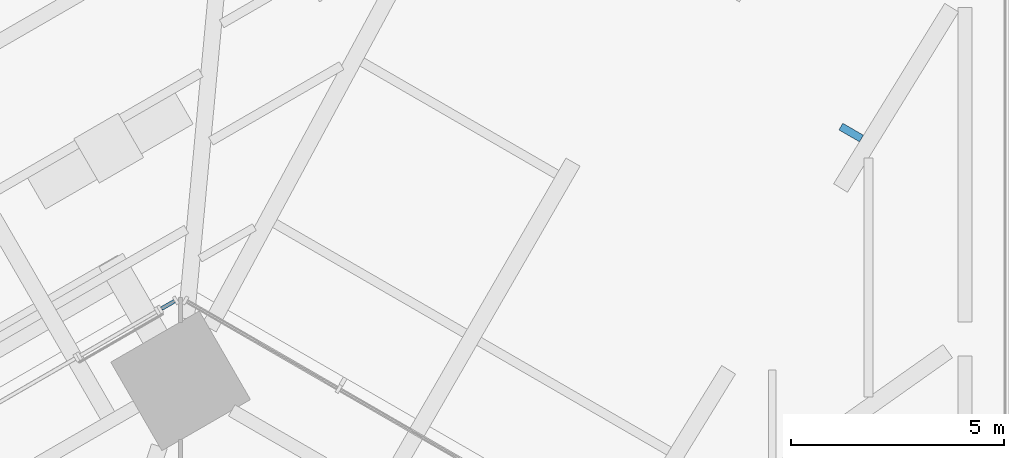
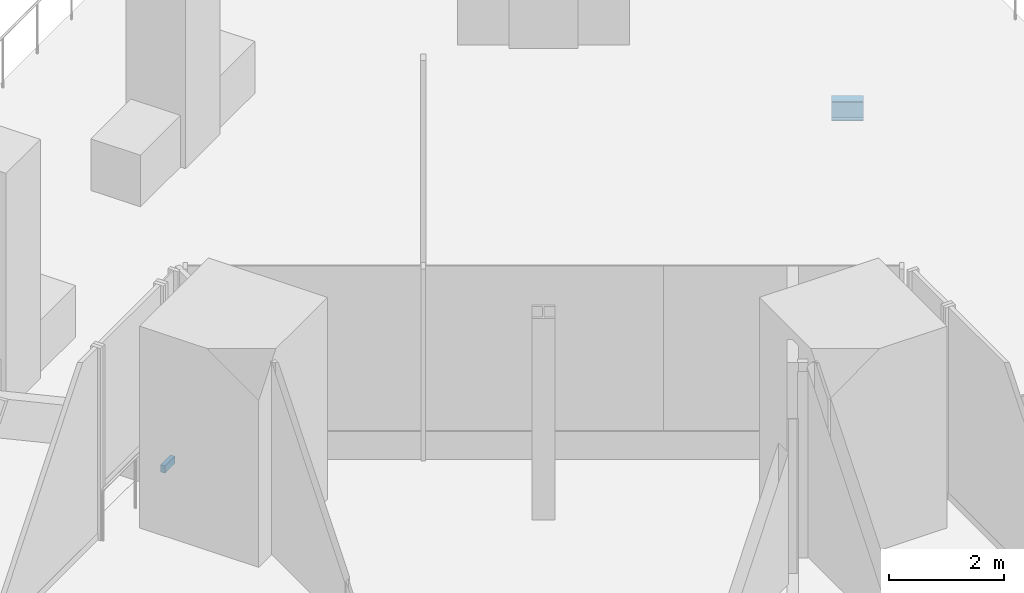
# One storey, part 19 of 38: 1 beam, 1 member, 1 element without a shape of its own.
"""IFC4 building model written with IfcOpenShell, lengths in metres."""

from ifc_helpers import new_model, si_unit, direction, frame, origin, origin_2d, place, context, subcontext, project, spatial, rectangle, i_section, extrude, source, transform, mapped, material, material_profile, profile_set, type_object, element, aggregate, save


model = new_model("IFC4")

# Units and contexts
model_context = context("Model", 3, precision=1e-05, world=origin(), true_north=direction((0.0, 1.0)))
body_context = subcontext(model_context, "Body", "Model", "MODEL_VIEW")
ifc_project = project(units=[si_unit("LENGTHUNIT", "METRE"), si_unit("AREAUNIT", "SQUARE_METRE"), si_unit("VOLUMEUNIT", "CUBIC_METRE"), si_unit("PLANEANGLEUNIT", "RADIAN"), si_unit("MASSUNIT", "GRAM", prefix="KILO")], contexts=[model_context])

# Site, building, storey
site_placement = place(None, origin())
site = spatial("IfcSite", under=ifc_project, at=site_placement, CompositionType="ELEMENT")
building_placement = place(site_placement, origin())
building = spatial("IfcBuilding", under=site, at=building_placement, Name="Triune Harvest Tower", CompositionType="ELEMENT")
storey_placement = place(building_placement, frame((0.0, 0.0, 16.0)))
storey = spatial("IfcBuildingStorey", under=building, at=storey_placement, Name="L03", CompositionType="ELEMENT", Elevation=16.0)

# Beam
ifc_material_1 = material(Name="Steel ASTM A992 Gr 50", Category="steel")
ifc_material_profile_1 = material_profile(ifc_material_1, i_section(OverallWidth=0.180908203125, OverallDepth=0.41650390625, WebThickness=0.010986328125, FlangeThickness=0.01806640625, at=origin_2d()), Name="W16x57")
ifc_profile_set_1 = profile_set([ifc_material_profile_1], Name="Steel ASTM A992 Gr 50")
beam_type = type_object("IfcBeamType", Name="PD-6 Podium short joist W16x57", PredefinedType="JOIST", material=ifc_profile_set_1)
shared_shape_1 = source(origin(), body_context, "Body", "SweptSolid", [
    extrude(i_section(OverallWidth=0.180908203125, OverallDepth=0.41650390625, WebThickness=0.010986328125, FlangeThickness=0.01806640625, at=origin_2d()), origin(), (0.0, 0.0, 1.0), 0.55908203125),
])
beam_placement = place(storey_placement, frame((28.291015625, 37.827880859375, -0.408203125), z_axis=(-0.866003766563, 0.500037474894, 0.0), x_axis=(-0.500037474894, -0.866003766563, 0.0)))
element("IfcBeam", 1, at=beam_placement, inside=storey, type_object=beam_type, Name="beam/L03/PJ23", PredefinedType="JOIST", context=body_context, shape_type="MappedRepresentation", body=[
    mapped(shared_shape_1, transform((0.0, 0.0, 0.0), scale=1.0)),
])

# Curtain wall, member
ifc_material_2 = material(Name="Aluminium bronze anodised", Category="aluminium")
curtain_wall_type = type_object("IfcCurtainWallType", Name="CW-6 Balcony window wall", PredefinedType="NOTDEFINED", material=ifc_material_2)
curtain_wall_placement = place(storey_placement, origin())
curtain_wall = element("IfcCurtainWall", 2, at=curtain_wall_placement, inside=storey, type_object=curtain_wall_type, Name="CW-6 B1-F3 L03 run 1")
ifc_material_3 = material(Name="Aluminium bronze anodised", Category="aluminium")
ifc_material_profile_2 = material_profile(ifc_material_3, rectangle(XDim=0.090087890625, YDim=0.14990234375, at=origin_2d()), Name="TR-6 transom 90 x 150")
ifc_profile_set_2 = profile_set([ifc_material_profile_2], Name="Aluminium bronze anodised")
member_type = type_object("IfcMemberType", Name="TR-6 transom 90 x 150", PredefinedType="USERDEFINED", material=ifc_profile_set_2)
shared_shape_2 = source(origin(), body_context, "Body", "SweptSolid", [
    extrude(rectangle(XDim=0.090087890625, YDim=0.14990234375, at=origin_2d()), origin(), (0.0, 0.0, 1.0), 0.351806640625),
])
member_placement = place(storey_placement, frame((12.166259765625, 34.010986328125, 0.074951171875), z_axis=(-0.866185586049, -0.49972245349, 0.0), x_axis=(0.49972245349, -0.866185586049, 0.0)))
member = element("IfcMember", 3, at=member_placement, type_object=member_type, Name="CW-6 transom B1-F3 1.1", ObjectType="TRANSOM", PredefinedType="USERDEFINED", context=body_context, shape_type="MappedRepresentation", body=[
    mapped(shared_shape_2, transform((0.0, 0.0, 0.0), scale=1.0)),
])
aggregate(curtain_wall, [member])

save(model, "model.ifc")
